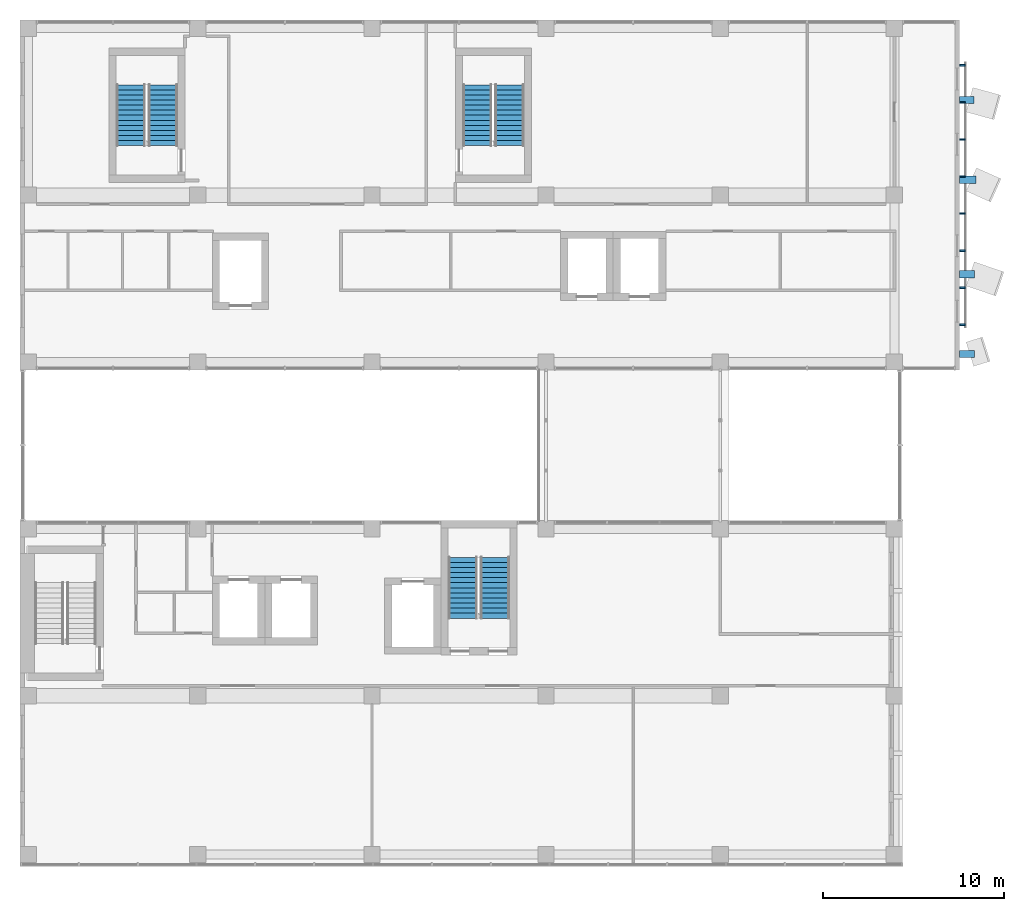
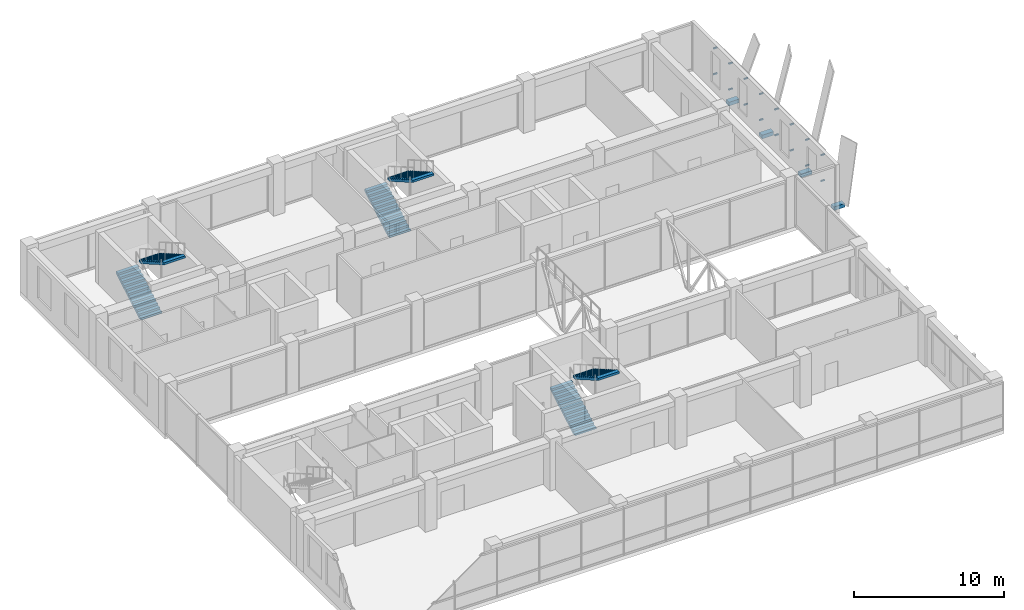
# One storey, part 32 of 38: 20 discrete accessories, 6 stair flights, 3 elements without a shape of their own.
"""IFC4 building model written with IfcOpenShell, lengths in metres."""

from ifc_helpers import new_model, si_unit, direction, frame, origin, origin_2d, place, context, subcontext, project, spatial, polyline, rectangle, outline, extrude, material, type_object, element, aggregate, save


model = new_model("IFC4")

# Units and contexts
model_context = context("Model", 3, precision=1e-05, world=origin(), true_north=direction((0.0, 1.0)))
body_context = subcontext(model_context, "Body", "Model", "MODEL_VIEW")
ifc_project = project(units=[si_unit("LENGTHUNIT", "METRE"), si_unit("AREAUNIT", "SQUARE_METRE"), si_unit("VOLUMEUNIT", "CUBIC_METRE"), si_unit("PLANEANGLEUNIT", "RADIAN"), si_unit("MASSUNIT", "GRAM", prefix="KILO")], contexts=[model_context])

# Site, building, storey
site_placement = place(None, origin())
site = spatial("IfcSite", under=ifc_project, at=site_placement, CompositionType="ELEMENT")
building_placement = place(site_placement, origin())
building = spatial("IfcBuilding", under=site, at=building_placement, Name="Nzadi Deep Aquarium and Research Tower", CompositionType="ELEMENT")
storey_placement = place(building_placement, frame((0.0, 0.0, 65.5)))
storey = spatial("IfcBuildingStorey", under=building, at=storey_placement, Name="L13", CompositionType="ELEMENT", Elevation=65.5)

# Stair, stair flights
ifc_material_1 = material(Name="Concrete C35/45", Category="concrete")
stair_type = type_object("IfcStairType", Name="STAIR RETURN 3000", PredefinedType="NOTDEFINED", material=ifc_material_1)
stair_1_placement = place(storey_placement, origin())
stair_1 = element("IfcStair", 1, at=stair_1_placement, inside=storey, type_object=stair_type, Name="Stair ST-Z1-SE L13", PredefinedType="HALF_TURN_STAIR")
ifc_material_2 = material(Name="Concrete C35/45", Category="concrete")
stair_flight_type = type_object("IfcStairFlightType", Name="FLIGHT 1625 13 RISERS 161.5 GOING 280", PredefinedType="STRAIGHT", material=ifc_material_2)
stair_flight_1_placement = place(storey_placement, frame((24.21240234375, 13.469970703125, 0.0), z_axis=(0.0, 0.0, 1.0), x_axis=(0.0, 1.0, 0.0)))
stair_flight_1 = element("IfcStairFlight", 2, at=stair_flight_1_placement, type_object=stair_flight_type, Name="ST-Z1-SE flight 1", NumberOfRisers=13, NumberOfTreads=12, PredefinedType="STRAIGHT", RiserHeight=0.161538462, TreadLength=0.28, context=body_context, shape_type="SweptSolid", body=[
    extrude(outline(polyline([(0.0, 0.0), (0.0, 0.16162109375), (0.280029296875, 0.16162109375), (0.280029296875, 0.322998046875), (0.56005859375, 0.322998046875), (0.56005859375, 0.484619140625), (0.840087890625, 0.484619140625), (0.840087890625, 0.646240234375), (1.1201171875, 0.646240234375), (1.1201171875, 0.8076171875), (1.39990234375, 0.8076171875), (1.39990234375, 0.96923828125), (1.679931640625, 0.96923828125), (1.679931640625, 1.130859375), (1.9599609375, 1.130859375), (1.9599609375, 1.292236328125), (2.239990234375, 1.292236328125), (2.239990234375, 1.453857421875), (2.52001953125, 1.453857421875), (2.52001953125, 1.615478515625), (2.800048828125, 1.615478515625), (2.800048828125, 1.77685546875), (3.080078125, 1.77685546875), (3.080078125, 1.9384765625), (3.360107421875, 1.9384765625), (3.360107421875, 2.10009765625), (3.360107421875, 1.765380859375), (0.300048828125, 0.0), (0.0, 0.0)])), frame((0.0, 0.8125, 0.0), z_axis=(0.0, -1.0, 0.0), x_axis=(1.0, 0.0, 0.0)), (0.0, 0.0, 1.0), 1.625),
])
stair_flight_2_placement = place(storey_placement, frame((25.987548828125, 16.830078125, 2.10009765625), z_axis=(0.0, 0.0, 1.0), x_axis=(0.0, -1.0, 0.0)))
stair_flight_2 = element("IfcStairFlight", 3, at=stair_flight_2_placement, type_object=stair_flight_type, Name="ST-Z1-SE flight 2", NumberOfRisers=13, NumberOfTreads=12, PredefinedType="STRAIGHT", RiserHeight=0.161538462, TreadLength=0.28, context=body_context, shape_type="SweptSolid", body=[
    extrude(outline(polyline([(0.0, 0.0), (0.0, 0.16162109375), (0.280029296875, 0.16162109375), (0.280029296875, 0.322998046875), (0.56005859375, 0.322998046875), (0.56005859375, 0.484619140625), (0.840087890625, 0.484619140625), (0.840087890625, 0.646240234375), (1.1201171875, 0.646240234375), (1.1201171875, 0.8076171875), (1.39990234375, 0.8076171875), (1.39990234375, 0.96923828125), (1.679931640625, 0.96923828125), (1.679931640625, 1.130859375), (1.9599609375, 1.130859375), (1.9599609375, 1.292236328125), (2.239990234375, 1.292236328125), (2.239990234375, 1.453857421875), (2.52001953125, 1.453857421875), (2.52001953125, 1.615478515625), (2.800048828125, 1.615478515625), (2.800048828125, 1.77685546875), (3.080078125, 1.77685546875), (3.080078125, 1.9384765625), (3.360107421875, 1.9384765625), (3.360107421875, 2.10009765625), (3.360107421875, 1.765380859375), (0.300048828125, 0.0), (0.0, 0.0)])), frame((0.0, 0.8125, 0.0), z_axis=(0.0, -1.0, 0.0), x_axis=(1.0, 0.0, 0.0)), (0.0, 0.0, 1.0), 1.625),
])
aggregate(stair_1, [stair_flight_1, stair_flight_2])

stair_2_placement = place(storey_placement, origin())
stair_2 = element("IfcStair", 4, at=stair_2_placement, inside=storey, type_object=stair_type, Name="Stair ST-Z1-NW L13", PredefinedType="HALF_TURN_STAIR")
stair_flight_3_placement = place(storey_placement, frame((5.91259765625, 39.52001953125, 0.0), z_axis=(0.0, 0.0, 1.0), x_axis=(0.0, 1.0, 0.0)))
stair_flight_3 = element("IfcStairFlight", 5, at=stair_flight_3_placement, type_object=stair_flight_type, Name="ST-Z1-NW flight 1", NumberOfRisers=13, NumberOfTreads=12, PredefinedType="STRAIGHT", RiserHeight=0.161538462, TreadLength=0.28, context=body_context, shape_type="SweptSolid", body=[
    extrude(outline(polyline([(0.0, 0.0), (0.0, 0.16162109375), (0.280029296875, 0.16162109375), (0.280029296875, 0.322998046875), (0.56005859375, 0.322998046875), (0.56005859375, 0.484619140625), (0.840087890625, 0.484619140625), (0.840087890625, 0.646240234375), (1.1201171875, 0.646240234375), (1.1201171875, 0.8076171875), (1.39990234375, 0.8076171875), (1.39990234375, 0.96923828125), (1.679931640625, 0.96923828125), (1.679931640625, 1.130859375), (1.9599609375, 1.130859375), (1.9599609375, 1.292236328125), (2.239990234375, 1.292236328125), (2.239990234375, 1.453857421875), (2.52001953125, 1.453857421875), (2.52001953125, 1.615478515625), (2.800048828125, 1.615478515625), (2.800048828125, 1.77685546875), (3.080078125, 1.77685546875), (3.080078125, 1.9384765625), (3.360107421875, 1.9384765625), (3.360107421875, 2.10009765625), (3.360107421875, 1.765380859375), (0.300048828125, 0.0), (0.0, 0.0)])), frame((0.0, 0.8125, 0.0), z_axis=(0.0, -1.0, 0.0), x_axis=(1.0, 0.0, 0.0)), (0.0, 0.0, 1.0), 1.625),
])
stair_flight_4_placement = place(storey_placement, frame((7.6875, 42.8798828125, 2.10009765625), z_axis=(0.0, 0.0, 1.0), x_axis=(0.0, -1.0, 0.0)))
stair_flight_4 = element("IfcStairFlight", 6, at=stair_flight_4_placement, type_object=stair_flight_type, Name="ST-Z1-NW flight 2", NumberOfRisers=13, NumberOfTreads=12, PredefinedType="STRAIGHT", RiserHeight=0.161538462, TreadLength=0.28, context=body_context, shape_type="SweptSolid", body=[
    extrude(outline(polyline([(0.0, 0.0), (0.0, 0.16162109375), (0.280029296875, 0.16162109375), (0.280029296875, 0.322998046875), (0.56005859375, 0.322998046875), (0.56005859375, 0.484619140625), (0.840087890625, 0.484619140625), (0.840087890625, 0.646240234375), (1.1201171875, 0.646240234375), (1.1201171875, 0.8076171875), (1.39990234375, 0.8076171875), (1.39990234375, 0.96923828125), (1.679931640625, 0.96923828125), (1.679931640625, 1.130859375), (1.9599609375, 1.130859375), (1.9599609375, 1.292236328125), (2.239990234375, 1.292236328125), (2.239990234375, 1.453857421875), (2.52001953125, 1.453857421875), (2.52001953125, 1.615478515625), (2.800048828125, 1.615478515625), (2.800048828125, 1.77685546875), (3.080078125, 1.77685546875), (3.080078125, 1.9384765625), (3.360107421875, 1.9384765625), (3.360107421875, 2.10009765625), (3.360107421875, 1.765380859375), (0.300048828125, 0.0), (0.0, 0.0)])), frame((0.0, 0.8125, 0.0), z_axis=(0.0, -1.0, 0.0), x_axis=(1.0, 0.0, 0.0)), (0.0, 0.0, 1.0), 1.625),
])
aggregate(stair_2, [stair_flight_3, stair_flight_4])

stair_3_placement = place(storey_placement, origin())
stair_3 = element("IfcStair", 7, at=stair_3_placement, inside=storey, type_object=stair_type, Name="Stair ST-Z1-NE L13", PredefinedType="HALF_TURN_STAIR")
stair_flight_5_placement = place(storey_placement, frame((25.012451171875, 39.52001953125, 0.0), z_axis=(0.0, 0.0, 1.0), x_axis=(0.0, 1.0, 0.0)))
stair_flight_5 = element("IfcStairFlight", 8, at=stair_flight_5_placement, type_object=stair_flight_type, Name="ST-Z1-NE flight 1", NumberOfRisers=13, NumberOfTreads=12, PredefinedType="STRAIGHT", RiserHeight=0.161538462, TreadLength=0.28, context=body_context, shape_type="SweptSolid", body=[
    extrude(outline(polyline([(0.0, 0.0), (0.0, 0.16162109375), (0.280029296875, 0.16162109375), (0.280029296875, 0.322998046875), (0.56005859375, 0.322998046875), (0.56005859375, 0.484619140625), (0.840087890625, 0.484619140625), (0.840087890625, 0.646240234375), (1.1201171875, 0.646240234375), (1.1201171875, 0.8076171875), (1.39990234375, 0.8076171875), (1.39990234375, 0.96923828125), (1.679931640625, 0.96923828125), (1.679931640625, 1.130859375), (1.9599609375, 1.130859375), (1.9599609375, 1.292236328125), (2.239990234375, 1.292236328125), (2.239990234375, 1.453857421875), (2.52001953125, 1.453857421875), (2.52001953125, 1.615478515625), (2.800048828125, 1.615478515625), (2.800048828125, 1.77685546875), (3.080078125, 1.77685546875), (3.080078125, 1.9384765625), (3.360107421875, 1.9384765625), (3.360107421875, 2.10009765625), (3.360107421875, 1.765380859375), (0.300048828125, 0.0), (0.0, 0.0)])), frame((0.0, 0.8125, 0.0), z_axis=(0.0, -1.0, 0.0), x_axis=(1.0, 0.0, 0.0)), (0.0, 0.0, 1.0), 1.625),
])
stair_flight_6_placement = place(storey_placement, frame((26.78759765625, 42.8798828125, 2.10009765625), z_axis=(0.0, 0.0, 1.0), x_axis=(0.0, -1.0, 0.0)))
stair_flight_6 = element("IfcStairFlight", 9, at=stair_flight_6_placement, type_object=stair_flight_type, Name="ST-Z1-NE flight 2", NumberOfRisers=13, NumberOfTreads=12, PredefinedType="STRAIGHT", RiserHeight=0.161538462, TreadLength=0.28, context=body_context, shape_type="SweptSolid", body=[
    extrude(outline(polyline([(0.0, 0.0), (0.0, 0.16162109375), (0.280029296875, 0.16162109375), (0.280029296875, 0.322998046875), (0.56005859375, 0.322998046875), (0.56005859375, 0.484619140625), (0.840087890625, 0.484619140625), (0.840087890625, 0.646240234375), (1.1201171875, 0.646240234375), (1.1201171875, 0.8076171875), (1.39990234375, 0.8076171875), (1.39990234375, 0.96923828125), (1.679931640625, 0.96923828125), (1.679931640625, 1.130859375), (1.9599609375, 1.130859375), (1.9599609375, 1.292236328125), (2.239990234375, 1.292236328125), (2.239990234375, 1.453857421875), (2.52001953125, 1.453857421875), (2.52001953125, 1.615478515625), (2.800048828125, 1.615478515625), (2.800048828125, 1.77685546875), (3.080078125, 1.77685546875), (3.080078125, 1.9384765625), (3.360107421875, 1.9384765625), (3.360107421875, 2.10009765625), (3.360107421875, 1.765380859375), (0.300048828125, 0.0), (0.0, 0.0)])), frame((0.0, 0.8125, 0.0), z_axis=(0.0, -1.0, 0.0), x_axis=(1.0, 0.0, 0.0)), (0.0, 0.0, 1.0), 1.625),
])
aggregate(stair_3, [stair_flight_5, stair_flight_6])

# Discrete accessories
for number, where, z_axis, x_axis, name in (
    (10, (51.75, 29.64990234375, 0.949951171875), (0.0, 0.0, 1.0), (1.0, 0.0, 0.0), "Screen bracket L13"),
    (11, (51.75, 29.64990234375, 3.050048828125), (0.0, 0.0, 1.0), (1.0, 0.0, 0.0), "Screen bracket L13"),
    (12, (51.75, 31.69287109375, 0.949951171875), (0.0, 0.0, 1.0), (1.0, 0.0, 0.0), "Screen bracket L13"),
    (13, (51.75, 31.69287109375, 3.050048828125), (0.0, 0.0, 1.0), (1.0, 0.0, 0.0), "Screen bracket L13"),
    (14, (51.75, 33.735595703125, 0.949951171875), (0.0, 0.0, 1.0), (1.0, 0.0, 0.0), "Screen bracket L13"),
    (15, (51.75, 33.735595703125, 3.050048828125), (0.0, 0.0, 1.0), (1.0, 0.0, 0.0), "Screen bracket L13"),
    (16, (51.75, 35.778564453125, 0.949951171875), (0.0, 0.0, 1.0), (1.0, 0.0, 0.0), "Screen bracket L13"),
    (17, (51.75, 35.778564453125, 3.050048828125), (0.0, 0.0, 1.0), (1.0, 0.0, 0.0), "Screen bracket L13"),
    (18, (51.75, 37.8212890625, 0.949951171875), (0.0, 0.0, 1.0), (1.0, 0.0, 0.0), "Screen bracket L13"),
    (19, (51.75, 37.8212890625, 3.050048828125), (0.0, 0.0, 1.0), (1.0, 0.0, 0.0), "Screen bracket L13"),
    (20, (51.75, 39.8642578125, 0.949951171875), (0.0, 0.0, 1.0), (1.0, 0.0, 0.0), "Screen bracket L13"),
    (21, (51.75, 39.8642578125, 3.050048828125), (0.0, 0.0, 1.0), (1.0, 0.0, 0.0), "Screen bracket L13"),
    (22, (51.75, 41.906982421875, 0.949951171875), (0.0, 0.0, 1.0), (1.0, 0.0, 0.0), "Screen bracket L13"),
    (23, (51.75, 41.906982421875, 3.050048828125), (0.0, 0.0, 1.0), (1.0, 0.0, 0.0), "Screen bracket L13"),
    (24, (51.75, 43.949951171875, 0.949951171875), (0.0, 0.0, 1.0), (1.0, 0.0, 0.0), "Screen bracket L13"),
    (25, (51.75, 43.949951171875, 3.050048828125), (0.0, 0.0, 1.0), (1.0, 0.0, 0.0), "Screen bracket L13"),
):
    element("IfcDiscreteAccessory", number, at=place(storey_placement, frame(where, z_axis=z_axis, x_axis=x_axis)), inside=storey, Name=name, PredefinedType="BRACKET", context=body_context, shape_type="SweptSolid", body=[
        extrude(rectangle(XDim=0.300048828125, YDim=0.10009765625, at=origin_2d()), origin(), (0.0, 0.0, 1.0), 0.10009765625),
    ])
discrete_accessory_1_placement = place(storey_placement, frame((52.004638671875, 28.0400390625, -0.2998046875), z_axis=(0.0, 0.0, 1.0), x_axis=(1.0, 0.0, 0.0)))
element("IfcDiscreteAccessory", 26, at=discrete_accessory_1_placement, inside=storey, Name="Fold blade bracket", PredefinedType="BRACKET", context=body_context, shape_type="SweptSolid", body=[
    extrude(rectangle(XDim=0.809326171875, YDim=0.39990234375, at=origin_2d()), origin(), (0.0, 0.0, 1.0), 0.300048828125),
])
discrete_accessory_2_placement = place(storey_placement, frame((52.0126953125, 32.43994140625, -0.2998046875), z_axis=(0.0, 0.0, 1.0), x_axis=(1.0, 0.0, 0.0)))
element("IfcDiscreteAccessory", 27, at=discrete_accessory_2_placement, inside=storey, Name="Fold blade bracket", PredefinedType="BRACKET", context=body_context, shape_type="SweptSolid", body=[
    extrude(rectangle(XDim=0.82568359375, YDim=0.39990234375, at=origin_2d()), origin(), (0.0, 0.0, 1.0), 0.300048828125),
])
discrete_accessory_3_placement = place(storey_placement, frame((52.04345703125, 37.639892578125, -0.2998046875), z_axis=(0.0, 0.0, 1.0), x_axis=(1.0, 0.0, 0.0)))
element("IfcDiscreteAccessory", 28, at=discrete_accessory_3_placement, inside=storey, Name="Fold blade bracket", PredefinedType="BRACKET", context=body_context, shape_type="SweptSolid", body=[
    extrude(rectangle(XDim=0.886962890625, YDim=0.39990234375, at=origin_2d()), origin(), (0.0, 0.0, 1.0), 0.300048828125),
])
discrete_accessory_4_placement = place(storey_placement, frame((51.992431640625, 42.0400390625, -0.2998046875), z_axis=(0.0, 0.0, 1.0), x_axis=(1.0, 0.0, 0.0)))
element("IfcDiscreteAccessory", 29, at=discrete_accessory_4_placement, inside=storey, Name="Fold blade bracket", PredefinedType="BRACKET", context=body_context, shape_type="SweptSolid", body=[
    extrude(rectangle(XDim=0.78466796875, YDim=0.39990234375, at=origin_2d()), origin(), (0.0, 0.0, 1.0), 0.300048828125),
])

save(model, "model.ifc")
